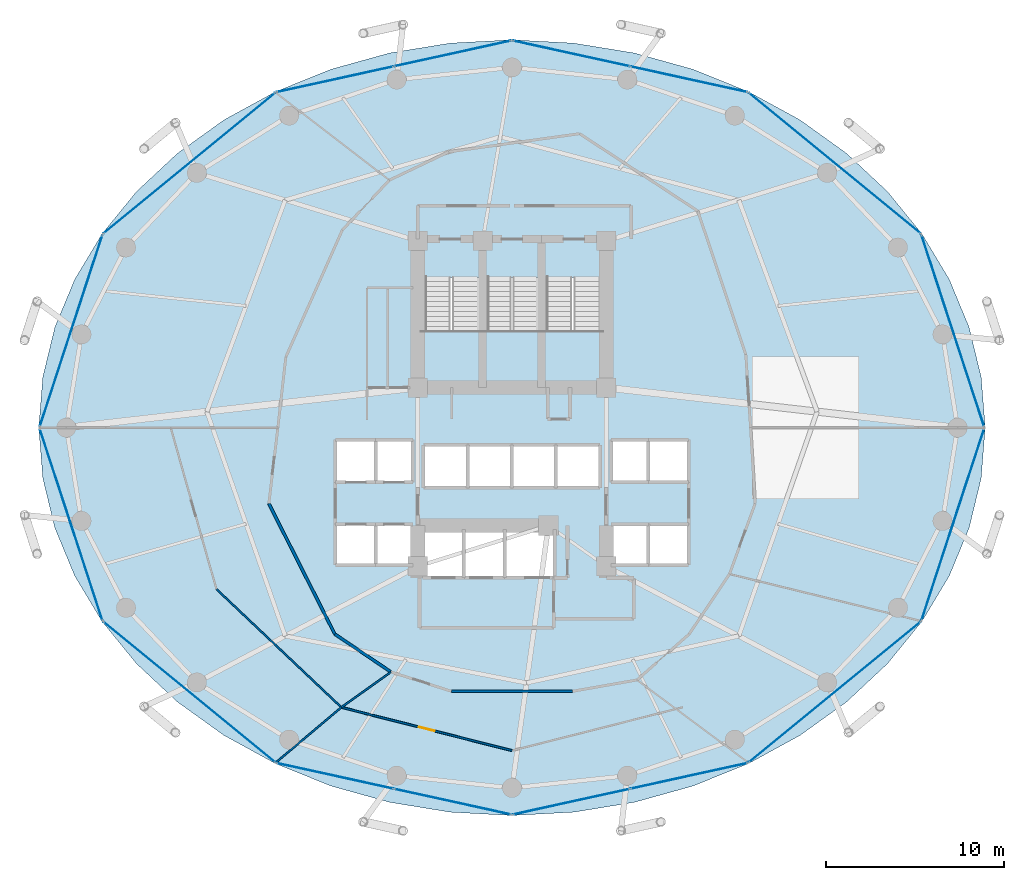
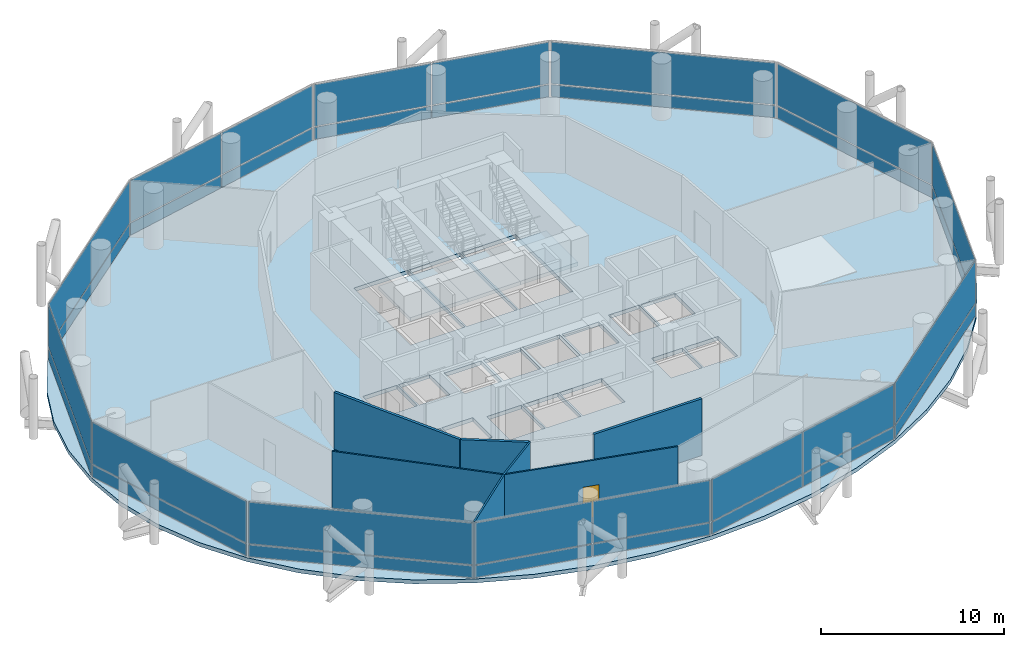
# One storey, part 20 of 24: 32 plates, 7 walls, 4 slabs, 1 door, 1 opening, 15 elements without a shape of their own.
"""IFC4 building model written with IfcOpenShell, lengths in metres."""

from ifc_helpers import new_model, si_unit, direction, frame, frame_2d, origin, origin_2d, place, context, subcontext, project, spatial, polyline, rectangle, outline, extrude, material, layer, layer_set, type_object, element, fill, aggregate, save


model = new_model("IFC4")

# Units and contexts
model_context = context("Model", 3, precision=1e-05, world=origin(), true_north=direction((0.0, 1.0)))
body_context = subcontext(model_context, "Body", "Model", "MODEL_VIEW")
ifc_project = project(units=[si_unit("LENGTHUNIT", "METRE"), si_unit("AREAUNIT", "SQUARE_METRE"), si_unit("VOLUMEUNIT", "CUBIC_METRE"), si_unit("PLANEANGLEUNIT", "RADIAN"), si_unit("MASSUNIT", "GRAM", prefix="KILO")], contexts=[model_context])

# Site, building, storey
site_placement = place(None, origin())
site = spatial("IfcSite", under=ifc_project, at=site_placement, CompositionType="ELEMENT")
building_placement = place(site_placement, origin())
building = spatial("IfcBuilding", under=site, at=building_placement, Name="Nuhasar Tower", CompositionType="ELEMENT")
storey_placement = place(building_placement, frame((0.0, 0.0, 37.199951171875)))
storey = spatial("IfcBuildingStorey", under=building, at=storey_placement, Name="L08", CompositionType="ELEMENT", Elevation=37.199951171875)

# Curtain wall, plate
ifc_material_1 = material(Name="Aluminium 6063-T6", Category="aluminium")
ifc_layer_1 = layer(ifc_material_1, 0.199951171875)
ifc_layer_set_1 = layer_set([ifc_layer_1], Name="Aluminium 6063-T6")
curtain_wall_type = type_object("IfcCurtainWallType", Name="CW-Z1-OFF", PredefinedType="NOTDEFINED", material=ifc_layer_set_1)
curtain_wall_1_placement = place(storey_placement, origin())
curtain_wall_1 = element("IfcCurtainWall", 1, at=curtain_wall_1_placement, inside=storey, type_object=curtain_wall_type, Name="L08 Unitised Curtain Wall 01", PredefinedType="NOTDEFINED")
ifc_material_2 = material(Name="Glass Double Low-E", Category="glass")
ifc_layer_2 = layer(ifc_material_2, 0.028076171875)
ifc_layer_set_2 = layer_set([ifc_layer_2], Name="Glass Double Low-E")
plate_type_1 = type_object("IfcPlateType", Name="CW-PANEL-GLZ", PredefinedType="CURTAIN_PANEL", material=ifc_layer_set_2)
plate_1_placement = place(storey_placement, frame((63.781005859375, 32.239990234375, 0.9326171875), z_axis=(0.0, 0.0, 1.0), x_axis=(-0.310823849997, 0.950467534571, 0.0)))
plate_1 = element("IfcPlate", 2, at=plate_1_placement, type_object=plate_type_1, Name="CW-Z1 panel 1.2", PredefinedType="CURTAIN_PANEL", context=body_context, shape_type="SweptSolid", body=[
    extrude(rectangle(XDim=11.31689453125, YDim=0.028076171875, at=origin_2d()), origin(), (0.0, 0.0, 1.0), 2.79248046875),
])

curtain_wall_2_placement = place(storey_placement, origin())
curtain_wall_2 = element("IfcCurtainWall", 3, at=curtain_wall_2_placement, inside=storey, type_object=curtain_wall_type, Name="L08 Unitised Curtain Wall 02", PredefinedType="NOTDEFINED")
plate_2_placement = place(storey_placement, frame((57.14111328125, 41.66259765625, 0.9326171875), z_axis=(0.0, 0.0, 1.0), x_axis=(-0.773542364946, 0.633744593376, 0.0)))
plate_2 = element("IfcPlate", 4, at=plate_2_placement, type_object=plate_type_1, Name="CW-Z1 panel 1.2", PredefinedType="CURTAIN_PANEL", context=body_context, shape_type="SweptSolid", body=[
    extrude(rectangle(XDim=12.438232421875, YDim=0.028076171875, at=origin_2d()), origin(), (0.0, 0.0, 1.0), 2.79248046875),
])

# Curtain wall, plates
curtain_wall_3_placement = place(storey_placement, origin())
curtain_wall_3 = element("IfcCurtainWall", 5, at=curtain_wall_3_placement, inside=storey, type_object=curtain_wall_type, Name="L08 Unitised Curtain Wall 03", PredefinedType="NOTDEFINED")
plate_3_placement = place(storey_placement, frame((48.944091796875, 46.377197265625, 0.9326171875), z_axis=(0.0, 0.0, 1.0), x_axis=(-0.976746221544, 0.214398737637, 0.0)))
plate_3 = element("IfcPlate", 6, at=plate_3_placement, type_object=plate_type_1, Name="CW-Z1 panel 1.2", PredefinedType="CURTAIN_PANEL", context=body_context, shape_type="SweptSolid", body=[
    extrude(rectangle(XDim=6.70068359375, YDim=0.028076171875, at=origin_2d()), origin(), (0.0, 0.0, 1.0), 2.79248046875),
])
plate_4_placement = place(storey_placement, frame((42.3359375, 47.827880859375, 0.9326171875), z_axis=(0.0, 0.0, 1.0), x_axis=(-0.976746221544, 0.214398737637, 0.0)))
plate_4 = element("IfcPlate", 7, at=plate_4_placement, type_object=plate_type_1, Name="CW-Z1 panel 2.2", PredefinedType="CURTAIN_PANEL", context=body_context, shape_type="SweptSolid", body=[
    extrude(rectangle(XDim=6.70068359375, YDim=0.028076171875, at=origin_2d()), origin(), (0.0, 0.0, 1.0), 2.79248046875),
])

curtain_wall_4_placement = place(storey_placement, origin())
curtain_wall_4 = element("IfcCurtainWall", 8, at=curtain_wall_4_placement, inside=storey, type_object=curtain_wall_type, Name="L08 Unitised Curtain Wall 04", PredefinedType="NOTDEFINED")
plate_5_placement = place(storey_placement, frame((35.6640625, 47.827880859375, 0.9326171875), z_axis=(0.0, 0.0, 1.0), x_axis=(-0.976746221544, -0.214398737637, 0.0)))
plate_5 = element("IfcPlate", 9, at=plate_5_placement, type_object=plate_type_1, Name="CW-Z1 panel 1.2", PredefinedType="CURTAIN_PANEL", context=body_context, shape_type="SweptSolid", body=[
    extrude(rectangle(XDim=6.70068359375, YDim=0.028076171875, at=origin_2d()), origin(), (0.0, 0.0, 1.0), 2.79248046875),
])
plate_6_placement = place(storey_placement, frame((29.055908203125, 46.377197265625, 0.9326171875), z_axis=(0.0, 0.0, 1.0), x_axis=(-0.976746221544, -0.214398737637, 0.0)))
plate_6 = element("IfcPlate", 10, at=plate_6_placement, type_object=plate_type_1, Name="CW-Z1 panel 2.2", PredefinedType="CURTAIN_PANEL", context=body_context, shape_type="SweptSolid", body=[
    extrude(rectangle(XDim=6.70068359375, YDim=0.028076171875, at=origin_2d()), origin(), (0.0, 0.0, 1.0), 2.79248046875),
])

# Curtain wall, plate
curtain_wall_5_placement = place(storey_placement, origin())
curtain_wall_5 = element("IfcCurtainWall", 11, at=curtain_wall_5_placement, inside=storey, type_object=curtain_wall_type, Name="L08 Unitised Curtain Wall 05", PredefinedType="NOTDEFINED")
plate_7_placement = place(storey_placement, frame((20.85888671875, 41.66259765625, 0.9326171875), z_axis=(0.0, 0.0, 1.0), x_axis=(-0.773542364946, -0.633744593376, 0.0)))
plate_7 = element("IfcPlate", 12, at=plate_7_placement, type_object=plate_type_1, Name="CW-Z1 panel 1.2", PredefinedType="CURTAIN_PANEL", context=body_context, shape_type="SweptSolid", body=[
    extrude(rectangle(XDim=12.438232421875, YDim=0.028076171875, at=origin_2d()), origin(), (0.0, 0.0, 1.0), 2.79248046875),
])

curtain_wall_6_placement = place(storey_placement, origin())
curtain_wall_6 = element("IfcCurtainWall", 13, at=curtain_wall_6_placement, inside=storey, type_object=curtain_wall_type, Name="L08 Unitised Curtain Wall 06", PredefinedType="NOTDEFINED")
plate_8_placement = place(storey_placement, frame((14.218994140625, 32.239990234375, 0.9326171875), z_axis=(0.0, 0.0, 1.0), x_axis=(-0.310823849997, -0.950467534571, 0.0)))
plate_8 = element("IfcPlate", 14, at=plate_8_placement, type_object=plate_type_1, Name="CW-Z1 panel 1.2", PredefinedType="CURTAIN_PANEL", context=body_context, shape_type="SweptSolid", body=[
    extrude(rectangle(XDim=11.31689453125, YDim=0.028076171875, at=origin_2d()), origin(), (0.0, 0.0, 1.0), 2.79248046875),
])

curtain_wall_7_placement = place(storey_placement, origin())
curtain_wall_7 = element("IfcCurtainWall", 15, at=curtain_wall_7_placement, inside=storey, type_object=curtain_wall_type, Name="L08 Unitised Curtain Wall 07", PredefinedType="NOTDEFINED")
plate_9_placement = place(storey_placement, frame((14.218994140625, 21.360107421875, 0.9326171875), z_axis=(0.0, 0.0, 1.0), x_axis=(0.310823849997, -0.950467534571, 0.0)))
plate_9 = element("IfcPlate", 16, at=plate_9_placement, type_object=plate_type_1, Name="CW-Z1 panel 1.2", PredefinedType="CURTAIN_PANEL", context=body_context, shape_type="SweptSolid", body=[
    extrude(rectangle(XDim=11.31689453125, YDim=0.028076171875, at=origin_2d()), origin(), (0.0, 0.0, 1.0), 2.79248046875),
])

curtain_wall_8_placement = place(storey_placement, origin())
curtain_wall_8 = element("IfcCurtainWall", 17, at=curtain_wall_8_placement, inside=storey, type_object=curtain_wall_type, Name="L08 Unitised Curtain Wall 08", PredefinedType="NOTDEFINED")
plate_10_placement = place(storey_placement, frame((20.85888671875, 11.9375, 0.9326171875), z_axis=(0.0, 0.0, 1.0), x_axis=(0.773542364946, -0.633744593376, 0.0)))
plate_10 = element("IfcPlate", 18, at=plate_10_placement, type_object=plate_type_1, Name="CW-Z1 panel 1.2", PredefinedType="CURTAIN_PANEL", context=body_context, shape_type="SweptSolid", body=[
    extrude(rectangle(XDim=12.438232421875, YDim=0.028076171875, at=origin_2d()), origin(), (0.0, 0.0, 1.0), 2.79248046875),
])

# Curtain wall, plates
curtain_wall_9_placement = place(storey_placement, origin())
curtain_wall_9 = element("IfcCurtainWall", 19, at=curtain_wall_9_placement, inside=storey, type_object=curtain_wall_type, Name="L08 Unitised Curtain Wall 09", PredefinedType="NOTDEFINED")
plate_11_placement = place(storey_placement, frame((29.055908203125, 7.22265625, 0.9326171875), z_axis=(0.0, 0.0, 1.0), x_axis=(0.976746221544, -0.214398737637, 0.0)))
plate_11 = element("IfcPlate", 20, at=plate_11_placement, type_object=plate_type_1, Name="CW-Z1 panel 1.2", PredefinedType="CURTAIN_PANEL", context=body_context, shape_type="SweptSolid", body=[
    extrude(rectangle(XDim=6.70068359375, YDim=0.028076171875, at=origin_2d()), origin(), (0.0, 0.0, 1.0), 2.79248046875),
])
plate_12_placement = place(storey_placement, frame((35.6640625, 5.772216796875, 0.9326171875), z_axis=(0.0, 0.0, 1.0), x_axis=(0.976746221544, -0.214398737637, 0.0)))
plate_12 = element("IfcPlate", 21, at=plate_12_placement, type_object=plate_type_1, Name="CW-Z1 panel 2.2", PredefinedType="CURTAIN_PANEL", context=body_context, shape_type="SweptSolid", body=[
    extrude(rectangle(XDim=6.70068359375, YDim=0.028076171875, at=origin_2d()), origin(), (0.0, 0.0, 1.0), 2.79248046875),
])

curtain_wall_10_placement = place(storey_placement, origin())
curtain_wall_10 = element("IfcCurtainWall", 22, at=curtain_wall_10_placement, inside=storey, type_object=curtain_wall_type, Name="L08 Unitised Curtain Wall 10", PredefinedType="NOTDEFINED")
plate_13_placement = place(storey_placement, frame((42.3359375, 5.772216796875, 0.9326171875), z_axis=(0.0, 0.0, 1.0), x_axis=(0.976746221544, 0.214398737637, 0.0)))
plate_13 = element("IfcPlate", 23, at=plate_13_placement, type_object=plate_type_1, Name="CW-Z1 panel 1.2", PredefinedType="CURTAIN_PANEL", context=body_context, shape_type="SweptSolid", body=[
    extrude(rectangle(XDim=6.70068359375, YDim=0.028076171875, at=origin_2d()), origin(), (0.0, 0.0, 1.0), 2.79248046875),
])
plate_14_placement = place(storey_placement, frame((48.944091796875, 7.22265625, 0.9326171875), z_axis=(0.0, 0.0, 1.0), x_axis=(0.976746221544, 0.214398737637, 0.0)))
plate_14 = element("IfcPlate", 24, at=plate_14_placement, type_object=plate_type_1, Name="CW-Z1 panel 2.2", PredefinedType="CURTAIN_PANEL", context=body_context, shape_type="SweptSolid", body=[
    extrude(rectangle(XDim=6.70068359375, YDim=0.028076171875, at=origin_2d()), origin(), (0.0, 0.0, 1.0), 2.79248046875),
])

# Curtain wall, plate
curtain_wall_11_placement = place(storey_placement, origin())
curtain_wall_11 = element("IfcCurtainWall", 25, at=curtain_wall_11_placement, inside=storey, type_object=curtain_wall_type, Name="L08 Unitised Curtain Wall 11", PredefinedType="NOTDEFINED")
plate_15_placement = place(storey_placement, frame((57.14111328125, 11.9375, 0.9326171875), z_axis=(0.0, 0.0, 1.0), x_axis=(0.773542364946, 0.633744593376, 0.0)))
plate_15 = element("IfcPlate", 26, at=plate_15_placement, type_object=plate_type_1, Name="CW-Z1 panel 1.2", PredefinedType="CURTAIN_PANEL", context=body_context, shape_type="SweptSolid", body=[
    extrude(rectangle(XDim=12.438232421875, YDim=0.028076171875, at=origin_2d()), origin(), (0.0, 0.0, 1.0), 2.79248046875),
])

curtain_wall_12_placement = place(storey_placement, origin())
curtain_wall_12 = element("IfcCurtainWall", 27, at=curtain_wall_12_placement, inside=storey, type_object=curtain_wall_type, Name="L08 Unitised Curtain Wall 12", PredefinedType="NOTDEFINED")
plate_16_placement = place(storey_placement, frame((63.781005859375, 21.360107421875, 0.9326171875), z_axis=(0.0, 0.0, 1.0), x_axis=(0.310823849997, 0.950467534571, 0.0)))
plate_16 = element("IfcPlate", 28, at=plate_16_placement, type_object=plate_type_1, Name="CW-Z1 panel 1.2", PredefinedType="CURTAIN_PANEL", context=body_context, shape_type="SweptSolid", body=[
    extrude(rectangle(XDim=11.31689453125, YDim=0.028076171875, at=origin_2d()), origin(), (0.0, 0.0, 1.0), 2.79248046875),
])

# Plate
ifc_material_3 = material(Name="Glass Spandrel", Category="glass")
ifc_layer_3 = layer(ifc_material_3, 0.035888671875)
ifc_layer_set_3 = layer_set([ifc_layer_3], Name="Glass Spandrel")
plate_type_2 = type_object("IfcPlateType", Name="CW-PANEL-SPN", PredefinedType="CURTAIN_PANEL", material=ifc_layer_set_3)
plate_17_placement = place(storey_placement, frame((63.781005859375, 32.239990234375, 0.06494140625), z_axis=(0.0, 0.0, 1.0), x_axis=(-0.310823849997, 0.950467534571, 0.0)))
plate_17 = element("IfcPlate", 29, at=plate_17_placement, type_object=plate_type_2, Name="CW-Z1 panel 1.1", PredefinedType="CURTAIN_PANEL", context=body_context, shape_type="SweptSolid", body=[
    extrude(rectangle(XDim=11.31689453125, YDim=0.035888671875, at=origin_2d()), origin(), (0.0, 0.0, 1.0), 0.802490234375),
])

aggregate(curtain_wall_1, [plate_17, plate_1])

plate_18_placement = place(storey_placement, frame((57.14111328125, 41.66259765625, 0.06494140625), z_axis=(0.0, 0.0, 1.0), x_axis=(-0.773542364946, 0.633744593376, 0.0)))
plate_18 = element("IfcPlate", 30, at=plate_18_placement, type_object=plate_type_2, Name="CW-Z1 panel 1.1", PredefinedType="CURTAIN_PANEL", context=body_context, shape_type="SweptSolid", body=[
    extrude(rectangle(XDim=12.438232421875, YDim=0.035888671875, at=origin_2d()), origin(), (0.0, 0.0, 1.0), 0.802490234375),
])

aggregate(curtain_wall_2, [plate_18, plate_2])

plate_19_placement = place(storey_placement, frame((48.944091796875, 46.377197265625, 0.06494140625), z_axis=(0.0, 0.0, 1.0), x_axis=(-0.976746221544, 0.214398737637, 0.0)))
plate_19 = element("IfcPlate", 31, at=plate_19_placement, type_object=plate_type_2, Name="CW-Z1 panel 1.1", PredefinedType="CURTAIN_PANEL", context=body_context, shape_type="SweptSolid", body=[
    extrude(rectangle(XDim=6.70068359375, YDim=0.035888671875, at=origin_2d()), origin(), (0.0, 0.0, 1.0), 0.802490234375),
])

plate_20_placement = place(storey_placement, frame((42.3359375, 47.827880859375, 0.06494140625), z_axis=(0.0, 0.0, 1.0), x_axis=(-0.976746221544, 0.214398737637, 0.0)))
plate_20 = element("IfcPlate", 32, at=plate_20_placement, type_object=plate_type_2, Name="CW-Z1 panel 2.1", PredefinedType="CURTAIN_PANEL", context=body_context, shape_type="SweptSolid", body=[
    extrude(rectangle(XDim=6.70068359375, YDim=0.035888671875, at=origin_2d()), origin(), (0.0, 0.0, 1.0), 0.802490234375),
])

aggregate(curtain_wall_3, [plate_19, plate_3, plate_20, plate_4])

plate_21_placement = place(storey_placement, frame((35.6640625, 47.827880859375, 0.06494140625), z_axis=(0.0, 0.0, 1.0), x_axis=(-0.976746221544, -0.214398737637, 0.0)))
plate_21 = element("IfcPlate", 33, at=plate_21_placement, type_object=plate_type_2, Name="CW-Z1 panel 1.1", PredefinedType="CURTAIN_PANEL", context=body_context, shape_type="SweptSolid", body=[
    extrude(rectangle(XDim=6.70068359375, YDim=0.035888671875, at=origin_2d()), origin(), (0.0, 0.0, 1.0), 0.802490234375),
])

plate_22_placement = place(storey_placement, frame((29.055908203125, 46.377197265625, 0.06494140625), z_axis=(0.0, 0.0, 1.0), x_axis=(-0.976746221544, -0.214398737637, 0.0)))
plate_22 = element("IfcPlate", 34, at=plate_22_placement, type_object=plate_type_2, Name="CW-Z1 panel 2.1", PredefinedType="CURTAIN_PANEL", context=body_context, shape_type="SweptSolid", body=[
    extrude(rectangle(XDim=6.70068359375, YDim=0.035888671875, at=origin_2d()), origin(), (0.0, 0.0, 1.0), 0.802490234375),
])

aggregate(curtain_wall_4, [plate_21, plate_5, plate_22, plate_6])

plate_23_placement = place(storey_placement, frame((20.85888671875, 41.66259765625, 0.06494140625), z_axis=(0.0, 0.0, 1.0), x_axis=(-0.773542364946, -0.633744593376, 0.0)))
plate_23 = element("IfcPlate", 35, at=plate_23_placement, type_object=plate_type_2, Name="CW-Z1 panel 1.1", PredefinedType="CURTAIN_PANEL", context=body_context, shape_type="SweptSolid", body=[
    extrude(rectangle(XDim=12.438232421875, YDim=0.035888671875, at=origin_2d()), origin(), (0.0, 0.0, 1.0), 0.802490234375),
])

aggregate(curtain_wall_5, [plate_23, plate_7])

plate_24_placement = place(storey_placement, frame((14.218994140625, 32.239990234375, 0.06494140625), z_axis=(0.0, 0.0, 1.0), x_axis=(-0.310823849997, -0.950467534571, 0.0)))
plate_24 = element("IfcPlate", 36, at=plate_24_placement, type_object=plate_type_2, Name="CW-Z1 panel 1.1", PredefinedType="CURTAIN_PANEL", context=body_context, shape_type="SweptSolid", body=[
    extrude(rectangle(XDim=11.31689453125, YDim=0.035888671875, at=origin_2d()), origin(), (0.0, 0.0, 1.0), 0.802490234375),
])

aggregate(curtain_wall_6, [plate_24, plate_8])

plate_25_placement = place(storey_placement, frame((14.218994140625, 21.360107421875, 0.06494140625), z_axis=(0.0, 0.0, 1.0), x_axis=(0.310823849997, -0.950467534571, 0.0)))
plate_25 = element("IfcPlate", 37, at=plate_25_placement, type_object=plate_type_2, Name="CW-Z1 panel 1.1", PredefinedType="CURTAIN_PANEL", context=body_context, shape_type="SweptSolid", body=[
    extrude(rectangle(XDim=11.31689453125, YDim=0.035888671875, at=origin_2d()), origin(), (0.0, 0.0, 1.0), 0.802490234375),
])

aggregate(curtain_wall_7, [plate_25, plate_9])

plate_26_placement = place(storey_placement, frame((20.85888671875, 11.9375, 0.06494140625), z_axis=(0.0, 0.0, 1.0), x_axis=(0.773542364946, -0.633744593376, 0.0)))
plate_26 = element("IfcPlate", 38, at=plate_26_placement, type_object=plate_type_2, Name="CW-Z1 panel 1.1", PredefinedType="CURTAIN_PANEL", context=body_context, shape_type="SweptSolid", body=[
    extrude(rectangle(XDim=12.438232421875, YDim=0.035888671875, at=origin_2d()), origin(), (0.0, 0.0, 1.0), 0.802490234375),
])

aggregate(curtain_wall_8, [plate_26, plate_10])

plate_27_placement = place(storey_placement, frame((29.055908203125, 7.22265625, 0.06494140625), z_axis=(0.0, 0.0, 1.0), x_axis=(0.976746221544, -0.214398737637, 0.0)))
plate_27 = element("IfcPlate", 39, at=plate_27_placement, type_object=plate_type_2, Name="CW-Z1 panel 1.1", PredefinedType="CURTAIN_PANEL", context=body_context, shape_type="SweptSolid", body=[
    extrude(rectangle(XDim=6.70068359375, YDim=0.035888671875, at=origin_2d()), origin(), (0.0, 0.0, 1.0), 0.802490234375),
])

plate_28_placement = place(storey_placement, frame((35.6640625, 5.772216796875, 0.06494140625), z_axis=(0.0, 0.0, 1.0), x_axis=(0.976746221544, -0.214398737637, 0.0)))
plate_28 = element("IfcPlate", 40, at=plate_28_placement, type_object=plate_type_2, Name="CW-Z1 panel 2.1", PredefinedType="CURTAIN_PANEL", context=body_context, shape_type="SweptSolid", body=[
    extrude(rectangle(XDim=6.70068359375, YDim=0.035888671875, at=origin_2d()), origin(), (0.0, 0.0, 1.0), 0.802490234375),
])

aggregate(curtain_wall_9, [plate_27, plate_11, plate_28, plate_12])

plate_29_placement = place(storey_placement, frame((42.3359375, 5.772216796875, 0.06494140625), z_axis=(0.0, 0.0, 1.0), x_axis=(0.976746221544, 0.214398737637, 0.0)))
plate_29 = element("IfcPlate", 41, at=plate_29_placement, type_object=plate_type_2, Name="CW-Z1 panel 1.1", PredefinedType="CURTAIN_PANEL", context=body_context, shape_type="SweptSolid", body=[
    extrude(rectangle(XDim=6.70068359375, YDim=0.035888671875, at=origin_2d()), origin(), (0.0, 0.0, 1.0), 0.802490234375),
])

plate_30_placement = place(storey_placement, frame((48.944091796875, 7.22265625, 0.06494140625), z_axis=(0.0, 0.0, 1.0), x_axis=(0.976746221544, 0.214398737637, 0.0)))
plate_30 = element("IfcPlate", 42, at=plate_30_placement, type_object=plate_type_2, Name="CW-Z1 panel 2.1", PredefinedType="CURTAIN_PANEL", context=body_context, shape_type="SweptSolid", body=[
    extrude(rectangle(XDim=6.70068359375, YDim=0.035888671875, at=origin_2d()), origin(), (0.0, 0.0, 1.0), 0.802490234375),
])

aggregate(curtain_wall_10, [plate_29, plate_13, plate_30, plate_14])

plate_31_placement = place(storey_placement, frame((57.14111328125, 11.9375, 0.06494140625), z_axis=(0.0, 0.0, 1.0), x_axis=(0.773542364946, 0.633744593376, 0.0)))
plate_31 = element("IfcPlate", 43, at=plate_31_placement, type_object=plate_type_2, Name="CW-Z1 panel 1.1", PredefinedType="CURTAIN_PANEL", context=body_context, shape_type="SweptSolid", body=[
    extrude(rectangle(XDim=12.438232421875, YDim=0.035888671875, at=origin_2d()), origin(), (0.0, 0.0, 1.0), 0.802490234375),
])

aggregate(curtain_wall_11, [plate_31, plate_15])

plate_32_placement = place(storey_placement, frame((63.781005859375, 21.360107421875, 0.06494140625), z_axis=(0.0, 0.0, 1.0), x_axis=(0.310823849997, 0.950467534571, 0.0)))
plate_32 = element("IfcPlate", 44, at=plate_32_placement, type_object=plate_type_2, Name="CW-Z1 panel 1.1", PredefinedType="CURTAIN_PANEL", context=body_context, shape_type="SweptSolid", body=[
    extrude(rectangle(XDim=11.31689453125, YDim=0.035888671875, at=origin_2d()), origin(), (0.0, 0.0, 1.0), 0.802490234375),
])

aggregate(curtain_wall_12, [plate_32, plate_16])

# Stair, slab
ifc_material_4 = material(Name="Concrete C45/55", Category="concrete")
stair_type_1 = type_object("IfcStairType", Name="STR-ST-01-2F-24R-1688", PredefinedType="HALF_TURN_STAIR", material=ifc_material_4)
stair_1_placement = place(storey_placement, origin())
stair_1 = element("IfcStair", 45, at=stair_1_placement, inside=storey, type_object=stair_type_1, Name="L08 Exit Stair ST-01", PredefinedType="HALF_TURN_STAIR")
ifc_layer_4 = layer(ifc_material_4, 0.239990234375)
ifc_layer_set_4 = layer_set([ifc_layer_4], Name="Concrete C45/55")
slab_type_1 = type_object("IfcSlabType", Name="SLB-STAIR-LND-240", PredefinedType="LANDING", material=ifc_layer_set_4)
slab_1_placement = place(storey_placement, frame((0.0, 0.0, 1.78515625)))
slab_1 = element("IfcSlab", 46, at=slab_1_placement, type_object=slab_type_1, Name="ST-01 landing 1", PredefinedType="LANDING", context=body_context, shape_type="SweptSolid", body=[
    extrude(outline(polyline([(33.699951171875, 28.75), (37.35009765625, 28.75), (37.35009765625, 32.239990234375), (33.699951171875, 32.239990234375), (33.699951171875, 28.75)])), origin(), (0.0, 0.0, 1.0), 0.239990234375),
])
aggregate(stair_1, [slab_1])

stair_type_2 = type_object("IfcStairType", Name="STR-ST-03-2F-24R-1688", PredefinedType="HALF_TURN_STAIR", material=ifc_material_4)
stair_2_placement = place(storey_placement, origin())
stair_2 = element("IfcStair", 47, at=stair_2_placement, inside=storey, type_object=stair_type_2, Name="L08 Exit Stair ST-03", PredefinedType="HALF_TURN_STAIR")
slab_2_placement = place(storey_placement, frame((0.0, 0.0, 1.78515625)))
slab_2 = element("IfcSlab", 48, at=slab_2_placement, type_object=slab_type_1, Name="ST-03 landing 1", PredefinedType="LANDING", context=body_context, shape_type="SweptSolid", body=[
    extrude(outline(polyline([(37.35009765625, 28.75), (40.64990234375, 28.75), (40.64990234375, 32.239990234375), (37.35009765625, 32.239990234375), (37.35009765625, 28.75)])), origin(), (0.0, 0.0, 1.0), 0.239990234375),
])
aggregate(stair_2, [slab_2])

stair_type_3 = type_object("IfcStairType", Name="STR-ST-02-2F-24R-1688", PredefinedType="HALF_TURN_STAIR", material=ifc_material_4)
stair_3_placement = place(storey_placement, origin())
stair_3 = element("IfcStair", 49, at=stair_3_placement, inside=storey, type_object=stair_type_3, Name="L08 Exit Stair ST-02", PredefinedType="HALF_TURN_STAIR")
slab_3_placement = place(storey_placement, frame((0.0, 0.0, 1.78515625)))
slab_3 = element("IfcSlab", 50, at=slab_3_placement, type_object=slab_type_1, Name="ST-02 landing 1", PredefinedType="LANDING", context=body_context, shape_type="SweptSolid", body=[
    extrude(outline(polyline([(40.64990234375, 28.75), (44.300048828125, 28.75), (44.300048828125, 32.239990234375), (40.64990234375, 32.239990234375), (40.64990234375, 28.75)])), origin(), (0.0, 0.0, 1.0), 0.239990234375),
])
aggregate(stair_3, [slab_3])

# Slab
ifc_material_5 = material(Name="Concrete C50/60", Category="concrete")
ifc_layer_5 = layer(ifc_material_5, 0.260009765625)
ifc_layer_set_5 = layer_set([ifc_layer_5], Name="Concrete C50/60")
slab_type_2 = type_object("IfcSlabType", Name="SLB-Z1A-260", PredefinedType="FLOOR", material=ifc_layer_set_5)
slab_4_placement = place(storey_placement, frame((0.0, 0.0, -0.260009765625)))
element("IfcSlab", 51, at=slab_4_placement, inside=storey, type_object=slab_type_2, Name="L08 Structural Slab", PredefinedType="FLOOR", context=body_context, shape_type="SweptSolid", body=[
    extrude(outline(polyline([(65.60009765625, 26.800048828125), (65.3720703125, 29.64501953125), (64.694091796875, 32.44189453125), (63.574951171875, 35.14208984375), (62.035888671875, 37.699951171875), (60.10302734375, 40.071044921875), (57.80908203125, 42.215087890625), (55.193115234375, 44.094970703125), (52.300048828125, 45.678955078125), (49.178955078125, 46.94091796875), (45.885009765625, 47.85693359375), (42.471923828125, 48.4130859375), (39.0, 48.60009765625), (35.528076171875, 48.4130859375), (32.114990234375, 47.85693359375), (28.821044921875, 46.94091796875), (25.699951171875, 45.678955078125), (22.806884765625, 44.094970703125), (20.19091796875, 42.215087890625), (17.89697265625, 40.071044921875), (15.964111328125, 37.699951171875), (14.425048828125, 35.14208984375), (13.305908203125, 32.44189453125), (12.6279296875, 29.64501953125), (12.39990234375, 26.800048828125), (12.6279296875, 23.955078125), (13.305908203125, 21.157958984375), (14.425048828125, 18.4580078125), (15.964111328125, 15.89990234375), (17.89697265625, 13.529052734375), (20.19091796875, 11.385009765625), (22.806884765625, 9.5048828125), (25.699951171875, 7.9208984375), (28.821044921875, 6.658935546875), (32.114990234375, 5.742919921875), (35.528076171875, 5.18701171875), (39.0, 5.0), (42.471923828125, 5.18701171875), (45.885009765625, 5.742919921875), (49.178955078125, 6.658935546875), (52.300048828125, 7.9208984375), (55.193115234375, 9.5048828125), (57.80908203125, 11.385009765625), (60.10302734375, 13.529052734375), (62.035888671875, 15.89990234375), (63.574951171875, 18.4580078125), (64.694091796875, 21.157958984375), (65.3720703125, 23.955078125), (65.60009765625, 26.800048828125)]), holes=[polyline([(33.8798828125, 35.25), (37.300048828125, 35.25), (37.300048828125, 29.0), (33.8798828125, 29.0), (33.8798828125, 35.25)]), polyline([(37.39990234375, 35.25), (40.60009765625, 35.25), (40.60009765625, 29.0), (37.39990234375, 29.0), (37.39990234375, 35.25)]), polyline([(40.699951171875, 35.25), (44.1201171875, 35.25), (44.1201171875, 29.0), (40.699951171875, 29.0), (40.699951171875, 35.25)]), polyline([(29.14990234375, 26.050048828125), (31.300048828125, 26.050048828125), (31.300048828125, 23.800048828125), (29.14990234375, 23.800048828125), (29.14990234375, 26.050048828125)]), polyline([(31.39990234375, 26.050048828125), (33.35009765625, 26.050048828125), (33.35009765625, 23.800048828125), (31.39990234375, 23.800048828125), (31.39990234375, 26.050048828125)]), polyline([(29.14990234375, 21.300048828125), (31.300048828125, 21.300048828125), (31.300048828125, 19.14990234375), (29.14990234375, 19.14990234375), (29.14990234375, 21.300048828125)]), polyline([(31.39990234375, 21.300048828125), (33.35009765625, 21.300048828125), (33.35009765625, 19.14990234375), (31.39990234375, 19.14990234375), (31.39990234375, 21.300048828125)]), polyline([(44.64990234375, 26.050048828125), (46.60009765625, 26.050048828125), (46.60009765625, 23.800048828125), (44.64990234375, 23.800048828125), (44.64990234375, 26.050048828125)]), polyline([(46.699951171875, 26.050048828125), (48.85009765625, 26.050048828125), (48.85009765625, 23.800048828125), (46.699951171875, 23.800048828125), (46.699951171875, 26.050048828125)]), polyline([(44.64990234375, 21.300048828125), (46.60009765625, 21.300048828125), (46.60009765625, 19.14990234375), (44.64990234375, 19.14990234375), (44.64990234375, 21.300048828125)]), polyline([(46.699951171875, 21.300048828125), (48.85009765625, 21.300048828125), (48.85009765625, 19.14990234375), (46.699951171875, 19.14990234375), (46.699951171875, 21.300048828125)]), polyline([(34.10009765625, 25.75), (36.43994140625, 25.75), (36.43994140625, 23.5), (34.10009765625, 23.5), (34.10009765625, 25.75)]), polyline([(36.580078125, 25.75), (38.919921875, 25.75), (38.919921875, 23.5), (36.580078125, 23.5), (36.580078125, 25.75)]), polyline([(39.06005859375, 25.75), (41.39990234375, 25.75), (41.39990234375, 23.5), (39.06005859375, 23.5), (39.06005859375, 25.75)]), polyline([(41.5400390625, 25.75), (43.8798828125, 25.75), (43.8798828125, 23.5), (41.5400390625, 23.5), (41.5400390625, 25.75)]), polyline([(34.050048828125, 21.0), (36.25, 21.0), (36.25, 18.449951171875), (34.050048828125, 18.449951171875), (34.050048828125, 21.0)]), polyline([(36.35009765625, 21.0), (38.550048828125, 21.0), (38.550048828125, 18.449951171875), (36.35009765625, 18.449951171875), (36.35009765625, 21.0)]), polyline([(38.64990234375, 21.0), (41.320068359375, 21.0), (41.320068359375, 18.449951171875), (38.64990234375, 18.449951171875), (38.64990234375, 21.0)])]), origin(), (0.0, 0.0, 1.0), 0.260009765625),
])

# Walls
ifc_material_6 = material(Name="Gypsum Board", Category="gypsum")
ifc_layer_6 = layer(ifc_material_6, 0.159912109375)
ifc_layer_set_6 = layer_set([ifc_layer_6], Name="Gypsum Board")
wall_type_1 = type_object("IfcWallType", Name="WL-CORR-160", PredefinedType="PARTITIONING", material=ifc_layer_set_6)
wall_1_placement = place(storey_placement, frame((25.3330078125, 22.531982421875, 0.0), z_axis=(0.0, 0.0, 1.0), x_axis=(0.451199750168, -0.892422985724, 0.0)))
element("IfcWall", 52, at=wall_1_placement, inside=storey, type_object=wall_type_1, Name="L08 Interior Partition CORR-26", PredefinedType="PARTITIONING", context=body_context, shape_type="SweptSolid", body=[
    extrude(rectangle(XDim=8.222412109375, YDim=0.159912109375, at=frame_2d((4.111328125, 0.0))), origin(), (0.0, 0.0, 1.0), 3.7900390625),
])
wall_2_placement = place(storey_placement, frame((29.04296875, 15.194091796875, 0.0), z_axis=(0.0, 0.0, 1.0), x_axis=(0.829146824345, -0.559030896891, 0.0)))
element("IfcWall", 53, at=wall_2_placement, inside=storey, type_object=wall_type_1, Name="L08 Interior Partition CORR-30", PredefinedType="PARTITIONING", context=body_context, shape_type="SweptSolid", body=[
    extrude(rectangle(XDim=3.80517578125, YDim=0.159912109375, at=frame_2d((1.902587890625, 0.0))), origin(), (0.0, 0.0, 1.0), 3.7900390625),
])
wall_3_placement = place(storey_placement, frame((35.593994140625, 11.98291015625, 0.0), z_axis=(0.0, 0.0, 1.0), x_axis=(1.0, 0.0, 0.0)))
element("IfcWall", 54, at=wall_3_placement, inside=storey, type_object=wall_type_1, Name="L08 Interior Partition CORR-34", PredefinedType="PARTITIONING", context=body_context, shape_type="SweptSolid", body=[
    extrude(rectangle(XDim=6.81201171875, YDim=0.159912109375, at=frame_2d((3.406005859375, 0.0))), origin(), (0.0, 0.0, 1.0), 3.7900390625),
])
ifc_layer_7 = layer(ifc_material_1, 0.10009765625)
ifc_layer_set_7 = layer_set([ifc_layer_7], Name="Aluminium 6063-T6")
wall_type_2 = type_object("IfcWallType", Name="WL-MOVABLE-100", PredefinedType="MOVABLE", material=ifc_layer_set_7)
wall_4_placement = place(storey_placement, frame((22.386962890625, 17.72412109375, 0.0), z_axis=(0.0, 0.0, 1.0), x_axis=(0.726336179962, -0.687339620332, 0.0)))
element("IfcWall", 55, at=wall_4_placement, inside=storey, type_object=wall_type_2, Name="L08 Interior Partition OMID-03-28", PredefinedType="MOVABLE", context=body_context, shape_type="SweptSolid", body=[
    extrude(rectangle(XDim=9.666259765625, YDim=0.10009765625, at=frame_2d((4.8330078125, 0.0))), origin(), (0.0, 0.0, 1.0), 3.7900390625),
])
wall_5_placement = place(storey_placement, frame((32.197998046875, 13.06689453125, 0.0), z_axis=(0.0, 0.0, 1.0), x_axis=(-0.814570629384, -0.580064384138, 0.0)))
element("IfcWall", 56, at=wall_5_placement, inside=storey, type_object=wall_type_2, Name="L08 Interior Partition ORAD-32-S1", PredefinedType="MOVABLE", context=body_context, shape_type="SweptSolid", body=[
    extrude(rectangle(XDim=3.425048828125, YDim=0.10009765625, at=frame_2d((1.71240234375, 0.0))), origin(), (0.0, 0.0, 1.0), 3.7900390625),
])
wall_6_placement = place(storey_placement, frame((29.407958984375, 11.080078125, 0.0), z_axis=(0.0, 0.0, 1.0), x_axis=(-0.764632874987, -0.644466109651, 0.0)))
element("IfcWall", 57, at=wall_6_placement, inside=storey, type_object=wall_type_2, Name="L08 Interior Partition ORAD-32-S2", PredefinedType="MOVABLE", context=body_context, shape_type="SweptSolid", body=[
    extrude(rectangle(XDim=4.80078125, YDim=0.10009765625, at=frame_2d((2.400390625, 0.0))), origin(), (0.0, 0.0, 1.0), 3.7900390625),
])

# Wall, opening, door
wall_7_placement = place(storey_placement, frame((39.0, 8.64794921875, 0.0), z_axis=(0.0, 0.0, 1.0), x_axis=(-0.96932580987, 0.245779320368, 0.0)))
wall_7 = element("IfcWall", 58, at=wall_7_placement, inside=storey, type_object=wall_type_2, Name="L08 Interior Partition OMID-04-32", PredefinedType="MOVABLE", context=body_context, shape_type="SweptSolid", body=[
    extrude(rectangle(XDim=9.8955078125, YDim=0.10009765625, at=frame_2d((4.94775390625, 0.0))), origin(), (0.0, 0.0, 1.0), 3.7900390625),
])
opening_placement = place(wall_7_placement, frame((4.498046875, 0.0, 0.0)))
opening = element("IfcOpeningElement", 59, at=opening_placement, cuts=wall_7, Name="Opening DR-01", PredefinedType="OPENING", context=body_context, shape_type="SweptSolid", body=[
    extrude(rectangle(XDim=0.89990234375, YDim=2.10009765625, at=frame_2d((0.449951171875, 1.050048828125))), frame((0.0, 0.06005859375, 0.0), z_axis=(0.0, -1.0, 0.0), x_axis=(1.0, 0.0, 0.0)), (0.0, 0.0, 1.0), 0.1201171875),
])
ifc_material_7 = material(Name="Timber Oak", Category="wood")
door_type = type_object("IfcDoorType", Name="DR-ROOM-900", OperationType="NOTDEFINED", PredefinedType="DOOR", material=ifc_material_7)
door_placement = place(opening_placement, origin())
door = element("IfcDoor", 60, at=door_placement, inside=storey, type_object=door_type, Name="L08 South-Central Advisory Office Inner Door", OperationType="SINGLE_SWING_LEFT", OverallHeight=2.10009765625, OverallWidth=0.89990234375, PredefinedType="DOOR", context=body_context, shape_type="SweptSolid", body=[
    extrude(rectangle(XDim=0.89990234375, YDim=2.10009765625, at=frame_2d((0.449951171875, 1.050048828125))), frame((0.0, 0.02490234375, 0.0), z_axis=(0.0, -1.0, 0.0), x_axis=(1.0, 0.0, 0.0)), (0.0, 0.0, 1.0), 0.050048828125),
])
fill(opening, door)

save(model, "model.ifc")
